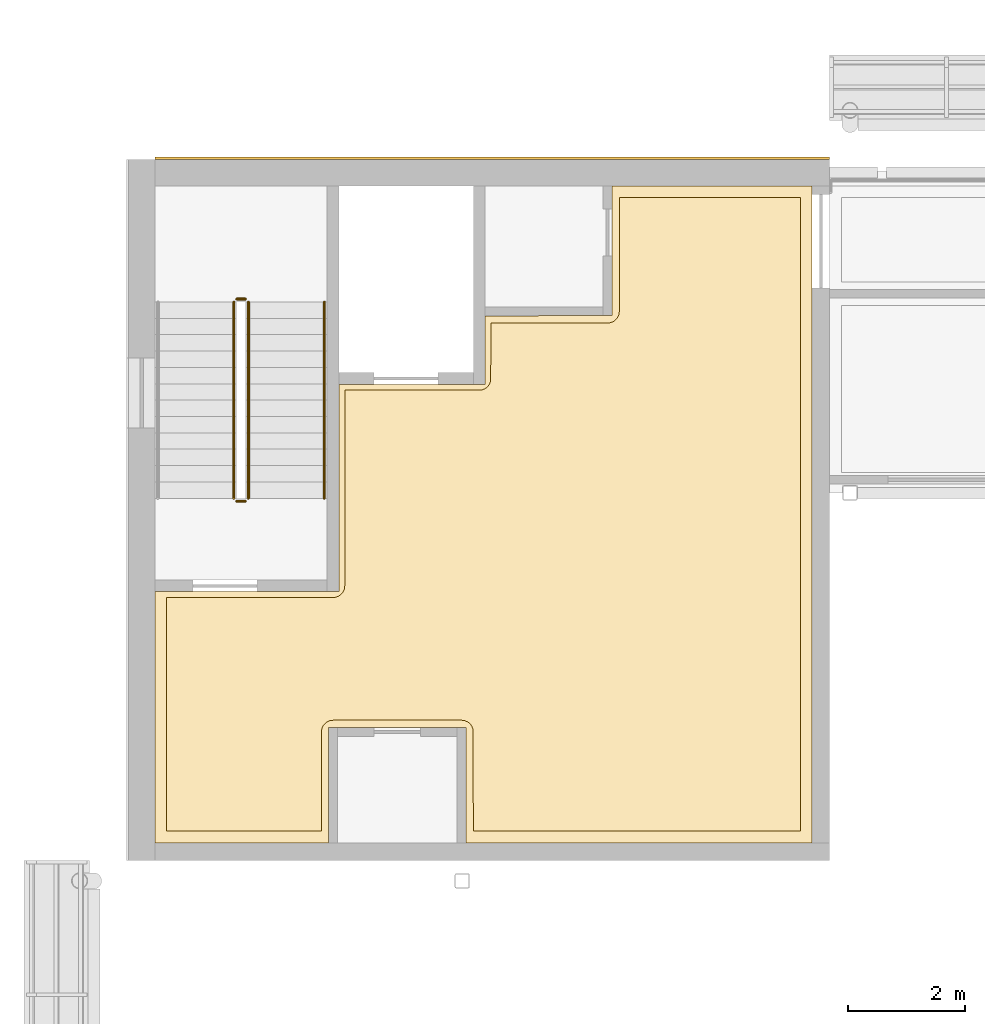
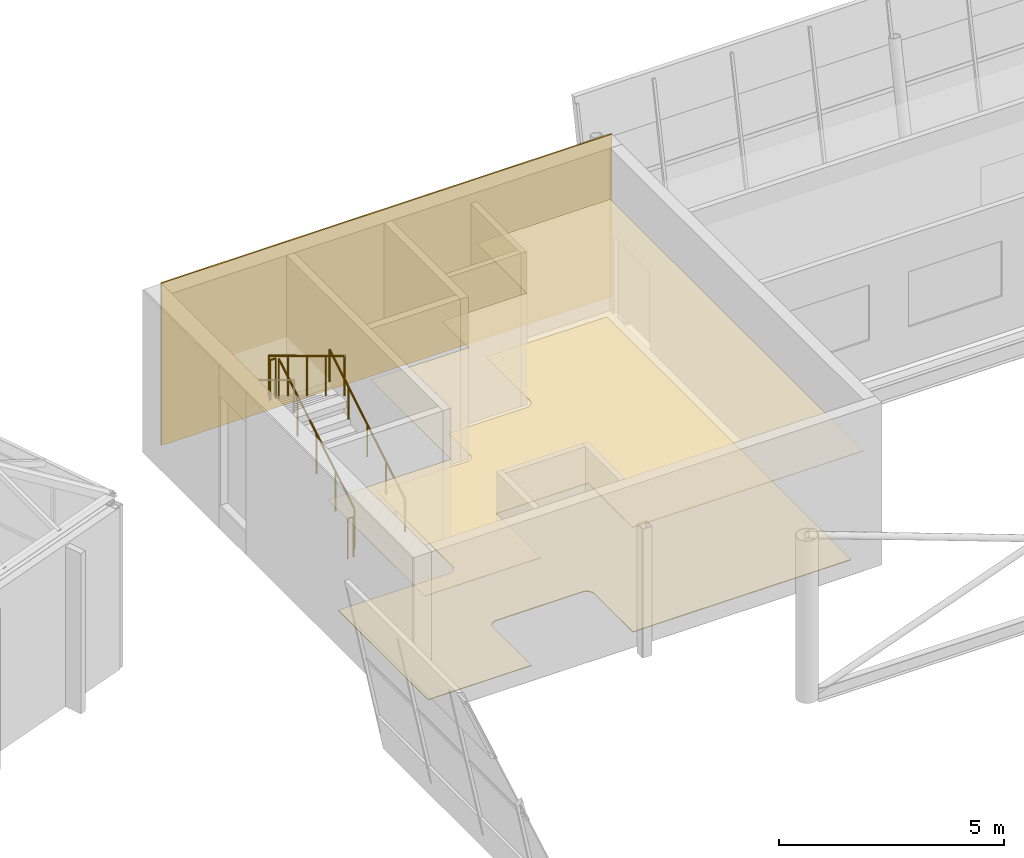
# One storey, part 84 of 95: 5 railings, 3 coverings.
"""IFC4 building model written with IfcOpenShell, lengths in metres."""

from ifc_helpers import new_model, si_unit, direction, frame, origin, origin_2d, place, context, subcontext, project, spatial, polyline, circle, outline, extrude, material, layer, layer_set, type_object, element, save


model = new_model("IFC4")

# Units and contexts
model_context = context("Model", 3, precision=1e-05, world=origin(), true_north=direction((0.0, 1.0)))
body_context = subcontext(model_context, "Body", "Model", "MODEL_VIEW")
ifc_project = project(units=[si_unit("LENGTHUNIT", "METRE"), si_unit("AREAUNIT", "SQUARE_METRE"), si_unit("VOLUMEUNIT", "CUBIC_METRE"), si_unit("PLANEANGLEUNIT", "RADIAN"), si_unit("MASSUNIT", "GRAM", prefix="KILO")], contexts=[model_context])

# Site, building, storey
site_placement = place(None, origin())
site = spatial("IfcSite", under=ifc_project, at=site_placement, CompositionType="ELEMENT")
building_placement = place(site_placement, origin())
building = spatial("IfcBuilding", under=site, at=building_placement, Name="Windward Yard Aquatics Centre", CompositionType="ELEMENT")
storey_placement = place(building_placement, frame((0.0, 0.0, 9.39990234375)))
storey = spatial("IfcBuildingStorey", under=building, at=storey_placement, Name="L02", CompositionType="ELEMENT", Elevation=9.39990234375)

# Covering
ifc_material_1 = material(Name="Polished screed")
ifc_layer_1 = layer(ifc_material_1, 0.0400390625)
ifc_layer_set_1 = layer_set([ifc_layer_1], Name="H Floor Finish Screed 40")
covering_type_1 = type_object("IfcCoveringType", Name="H Floor Finish Screed 40", PredefinedType="FLOORING", material=ifc_layer_set_1)
covering_1_placement = place(storey_placement, origin())
element("IfcCovering", 1, at=covering_1_placement, inside=storey, type_object=covering_type_1, Name="Core Lobby NW floor finish", PredefinedType="FLOORING", context=body_context, shape_type="SweptSolid", body=[
    extrude(outline(polyline([(52.64990234375, 84.5), (52.64990234375, 88.5), (55.5, 88.5), (55.5390625, 88.50390625), (55.55810546875, 88.508544921875), (55.59423828125, 88.523681640625), (55.626953125, 88.54541015625), (55.654541015625, 88.572998046875), (55.676513671875, 88.605712890625), (55.69140625, 88.641845703125), (55.698974609375, 88.680419921875), (55.699951171875, 88.699951171875), (55.699951171875, 92.050048828125), (58.0, 92.050048828125), (58.0390625, 92.0537109375), (58.05810546875, 92.05859375), (58.09423828125, 92.073486328125), (58.111083984375, 92.083740234375), (58.126953125, 92.095458984375), (58.154541015625, 92.123046875), (58.176513671875, 92.15576171875), (58.184814453125, 92.173583984375), (58.19140625, 92.19189453125), (58.198974609375, 92.23046875), (58.199951171875, 93.199951171875), (60.199951171875, 93.199951171875), (60.239013671875, 93.203857421875), (60.258056640625, 93.20849609375), (60.294189453125, 93.2236328125), (60.31103515625, 93.233642578125), (60.34130859375, 93.258544921875), (60.3544921875, 93.273193359375), (60.37646484375, 93.3056640625), (60.391357421875, 93.341796875), (60.39892578125, 93.38037109375), (60.39990234375, 93.39990234375), (60.39990234375, 95.35009765625), (63.5, 95.35009765625), (63.5, 84.5), (57.89990234375, 84.5), (57.89892578125, 86.219482421875), (57.891357421875, 86.258056640625), (57.87646484375, 86.294189453125), (57.8544921875, 86.326904296875), (57.826904296875, 86.3544921875), (57.794189453125, 86.37646484375), (57.758056640625, 86.391357421875), (57.739013671875, 86.396240234375), (57.699951171875, 86.39990234375), (55.5, 86.39990234375), (55.4609375, 86.396240234375), (55.44189453125, 86.391357421875), (55.40576171875, 86.37646484375), (55.373046875, 86.3544921875), (55.345458984375, 86.326904296875), (55.323486328125, 86.294189453125), (55.30859375, 86.258056640625), (55.301025390625, 86.219482421875), (55.300048828125, 86.199951171875), (55.300048828125, 84.5), (52.64990234375, 84.5)])), origin(), (0.0, 0.0, 1.0), 0.02001953125),
])

# Railings
ifc_material_2 = material(Name="Stainless steel 1.4529", Category="steel")
railing_type_1 = type_object("IfcRailingType", Name="H Guard Steel 1100", PredefinedType="GUARDRAIL", material=ifc_material_2)
railing_1_placement = place(storey_placement, frame((54.050048828125, 90.199951171875, 0.16943359375)))
element("IfcRailing", 2, at=railing_1_placement, inside=storey, type_object=railing_type_1, Name="L02 ST3 stair guard 1", PredefinedType="GUARDRAIL", context=body_context, shape_type="SweptSolid", body=[
    extrude(circle(Radius=0.02392578125, at=origin_2d()), frame((0.0, 0.0, 1.076171875), z_axis=(0.0, 0.855836976705, 0.517245656632), x_axis=(-1.0, 0.0, 0.0)), (0.0, 0.0, 1.0), 3.926025390625),
    extrude(circle(Radius=0.02099609375, at=origin_2d()), origin(), (0.0, 0.0, 1.0), 1.052001953125),
    extrude(circle(Radius=0.02099609375, at=origin_2d()), frame((0.0, 0.840087890625, 0.5078125)), (0.0, 0.0, 1.0), 1.052001953125),
    extrude(circle(Radius=0.02099609375, at=origin_2d()), frame((0.0, 1.68017578125, 1.015380859375)), (0.0, 0.0, 1.0), 1.052001953125),
    extrude(circle(Radius=0.02099609375, at=origin_2d()), frame((0.0, 2.52001953125, 1.52294921875)), (0.0, 0.0, 1.0), 1.052001953125),
    extrude(circle(Radius=0.02099609375, at=origin_2d()), frame((0.0, 3.360107421875, 2.03076171875)), (0.0, 0.0, 1.0), 1.052001953125),
])
railing_2_placement = place(storey_placement, frame((54.0, 93.610107421875, 2.2001953125)))
element("IfcRailing", 3, at=railing_2_placement, inside=storey, type_object=railing_type_1, Name="L02 ST3 stair guard 2", PredefinedType="GUARDRAIL", context=body_context, shape_type="SweptSolid", body=[
    extrude(circle(Radius=0.02392578125, at=origin_2d()), frame((0.0, 0.0, 1.076171875), z_axis=(-1.0, 0.0, 0.0), x_axis=(0.0, -1.0, 0.0)), (0.0, 0.0, 1.0), 0.14990234375),
    extrude(circle(Radius=0.02099609375, at=origin_2d()), origin(), (0.0, 0.0, 1.0), 1.052001953125),
    extrude(circle(Radius=0.02099609375, at=origin_2d()), frame((-0.14990234375, 0.0, 0.0)), (0.0, 0.0, 1.0), 1.052001953125),
])
railing_3_placement = place(storey_placement, frame((53.800048828125, 93.56005859375, 2.369384765625)))
element("IfcRailing", 4, at=railing_3_placement, inside=storey, type_object=railing_type_1, Name="L02 ST3 stair guard 3", PredefinedType="GUARDRAIL", context=body_context, shape_type="SweptSolid", body=[
    extrude(circle(Radius=0.02392578125, at=origin_2d()), frame((0.0, 0.0, 1.076171875), z_axis=(0.0, -0.855836976705, 0.517245656632), x_axis=(1.0, 0.0, 0.0)), (0.0, 0.0, 1.0), 3.926025390625),
    extrude(circle(Radius=0.02099609375, at=origin_2d()), origin(), (0.0, 0.0, 1.0), 1.052001953125),
    extrude(circle(Radius=0.02099609375, at=origin_2d()), frame((0.0, -0.840087890625, 0.5078125)), (0.0, 0.0, 1.0), 1.052001953125),
    extrude(circle(Radius=0.02099609375, at=origin_2d()), frame((0.0, -1.68017578125, 1.015380859375)), (0.0, 0.0, 1.0), 1.052001953125),
    extrude(circle(Radius=0.02099609375, at=origin_2d()), frame((0.0, -2.52001953125, 1.52294921875)), (0.0, 0.0, 1.0), 1.052001953125),
    extrude(circle(Radius=0.02099609375, at=origin_2d()), frame((0.0, -3.360107421875, 2.03076171875)), (0.0, 0.0, 1.0), 1.052001953125),
])
railing_4_placement = place(storey_placement, frame((54.0, 90.14990234375, 0.0)))
element("IfcRailing", 5, at=railing_4_placement, inside=storey, type_object=railing_type_1, Name="L02 ST3 stair guard 4", PredefinedType="GUARDRAIL", context=body_context, shape_type="SweptSolid", body=[
    extrude(circle(Radius=0.02392578125, at=origin_2d()), frame((0.0, 0.0, 1.076171875), z_axis=(-1.0, 0.0, 0.0), x_axis=(0.0, -1.0, 0.0)), (0.0, 0.0, 1.0), 0.14990234375),
    extrude(circle(Radius=0.02099609375, at=origin_2d()), origin(), (0.0, 0.0, 1.0), 1.052001953125),
    extrude(circle(Radius=0.02099609375, at=origin_2d()), frame((-0.14990234375, 0.0, 0.0)), (0.0, 0.0, 1.0), 1.052001953125),
])
railing_type_2 = type_object("IfcRailingType", Name="H Handrail Steel 900", PredefinedType="HANDRAIL", material=ifc_material_2)
railing_5_placement = place(storey_placement, frame((55.35009765625, 90.199951171875, 0.16943359375)))
element("IfcRailing", 6, at=railing_5_placement, inside=storey, type_object=railing_type_2, Name="L02 ST3 stair handrail 1", PredefinedType="HANDRAIL", context=body_context, shape_type="SweptSolid", body=[
    extrude(circle(Radius=0.02392578125, at=origin_2d()), frame((0.0, 0.0, 0.8759765625), z_axis=(0.0, 0.855836976705, 0.517245656632), x_axis=(-1.0, 0.0, 0.0)), (0.0, 0.0, 1.0), 3.926025390625),
    extrude(circle(Radius=0.02099609375, at=origin_2d()), origin(), (0.0, 0.0, 1.0), 0.851806640625),
    extrude(circle(Radius=0.02099609375, at=origin_2d()), frame((0.0, 0.840087890625, 0.5078125)), (0.0, 0.0, 1.0), 0.851806640625),
    extrude(circle(Radius=0.02099609375, at=origin_2d()), frame((0.0, 1.68017578125, 1.015380859375)), (0.0, 0.0, 1.0), 0.851806640625),
    extrude(circle(Radius=0.02099609375, at=origin_2d()), frame((0.0, 2.52001953125, 1.52294921875)), (0.0, 0.0, 1.0), 0.851806640625),
    extrude(circle(Radius=0.02099609375, at=origin_2d()), frame((0.0, 3.360107421875, 2.03076171875)), (0.0, 0.0, 1.0), 0.851806640625),
])

# Coverings
ifc_material_3 = material(Name="Mineral fibre tile")
ifc_layer_2 = layer(ifc_material_3, 0.02001953125)
ifc_layer_set_2 = layer_set([ifc_layer_2], Name="H Suspended Ceiling 600 x 600")
covering_type_2 = type_object("IfcCoveringType", Name="H Suspended Ceiling 600 x 600", PredefinedType="CEILING", material=ifc_layer_set_2)
covering_2_placement = place(storey_placement, frame((0.0, 0.0, 3.0)))
element("IfcCovering", 7, at=covering_2_placement, inside=storey, type_object=covering_type_2, Name="Core Lobby NW ceiling", PredefinedType="CEILING", context=body_context, shape_type="SweptSolid", body=[
    extrude(outline(polyline([(52.450439453125, 84.300537109375), (52.450439453125, 88.599609375), (55.6005859375, 88.60009765625), (55.6005859375, 92.1494140625), (58.1005859375, 92.14990234375), (58.1005859375, 93.324462890625), (60.275390625, 93.324951171875), (60.275390625, 95.549560546875), (63.699462890625, 95.549560546875), (63.699462890625, 84.300537109375), (57.775390625, 84.300537109375), (57.775390625, 86.27490234375), (57.625, 86.275390625), (55.424560546875, 86.27490234375), (55.424560546875, 84.300537109375), (52.450439453125, 84.300537109375)])), origin(), (0.0, 0.0, 1.0), 0.02001953125),
])
ifc_material_4 = material(Name="Natural limestone cladding", Category="masonry")
ifc_layer_3 = layer(ifc_material_4, 0.0400390625)
ifc_layer_set_3 = layer_set([ifc_layer_3], Name="H natural stone cladding 40")
covering_type_3 = type_object("IfcCoveringType", Name="H natural stone cladding 40", PredefinedType="CLADDING", material=ifc_layer_set_3)
covering_3_placement = place(storey_placement, origin())
element("IfcCovering", 8, at=covering_3_placement, inside=storey, type_object=covering_type_3, Name="Stone cladding panel 64", PredefinedType="CLADDING", context=body_context, shape_type="SweptSolid", body=[
    extrude(outline(polyline([(52.449951171875, 96.0), (64.0, 96.0), (64.0, 96.0400390625), (52.449951171875, 96.0400390625), (52.449951171875, 96.0)])), origin(), (0.0, 0.0, 1.0), 4.400146484375),
])

save(model, "model.ifc")
